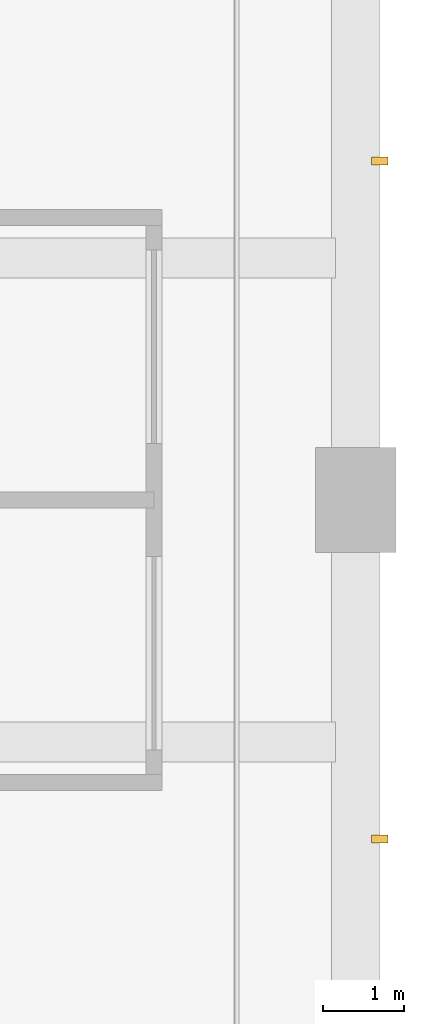
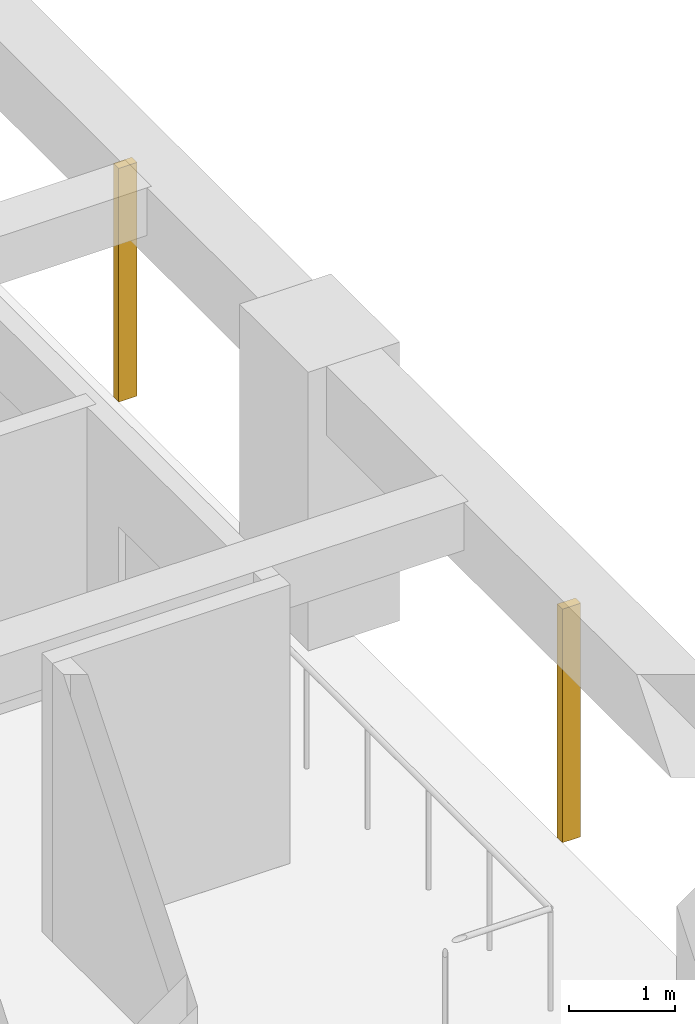
# One storey, part 16 of 17: 2 shading devices.
"""IFC4 building model written with IfcOpenShell, lengths in metres."""

from ifc_helpers import new_model, si_unit, direction, frame, origin, origin_2d, place, context, subcontext, project, spatial, rectangle, extrude, material, material_profile, profile_set, type_object, element, save


model = new_model("IFC4")

# Units and contexts
model_context = context("Model", 3, precision=1e-05, world=origin(), true_north=direction((0.0, 1.0)))
body_context = subcontext(model_context, "Body", "Model", "MODEL_VIEW")
ifc_project = project(units=[si_unit("LENGTHUNIT", "METRE"), si_unit("AREAUNIT", "SQUARE_METRE"), si_unit("VOLUMEUNIT", "CUBIC_METRE"), si_unit("PLANEANGLEUNIT", "RADIAN"), si_unit("MASSUNIT", "GRAM", prefix="KILO")], contexts=[model_context])

# Site, building, storey
site_placement = place(None, origin())
site = spatial("IfcSite", under=ifc_project, at=site_placement, CompositionType="ELEMENT")
building_placement = place(site_placement, origin())
building = spatial("IfcBuilding", under=site, at=building_placement, Name="Vermilion Gate Residences", CompositionType="ELEMENT")
storey_placement = place(building_placement, frame((0.0, 0.0, 91.699951171875)))
storey = spatial("IfcBuildingStorey", under=building, at=storey_placement, Name="L22", CompositionType="ELEMENT", Elevation=91.699951171875)

# Shading devices
ifc_material = material(Name="Extruded terracotta", Category="masonry")
ifc_material_profile = material_profile(ifc_material, rectangle(XDim=0.199951171875, YDim=0.10009765625, at=origin_2d()), Name="BAGUETTE 100 X 200")
ifc_profile_set = profile_set([ifc_material_profile], Name="Extruded terracotta")
shading_device_type = type_object("IfcShadingDeviceType", Name="TERRACOTTA BAGUETTE 100 X 200", PredefinedType="JALOUSIE", material=ifc_profile_set)
for number, where, z_axis, x_axis, name in (
    (1, (67.5, 12.60009765625, -0.280029296875), (0.0, 0.0, 1.0), (-1.0, 0.0, 0.0), "BAGUETTE"),
    (2, (67.5, 21.0, -0.280029296875), (0.0, 0.0, 1.0), (-1.0, 0.0, 0.0), "BAGUETTE"),
):
    element("IfcShadingDevice", number, at=place(storey_placement, frame(where, z_axis=z_axis, x_axis=x_axis)), inside=storey, type_object=shading_device_type, Name=name, PredefinedType="JALOUSIE", context=body_context, shape_type="SweptSolid", body=[
        extrude(rectangle(XDim=0.199951171875, YDim=0.10009765625, at=origin_2d()), origin(), (0.0, 0.0, 1.0), 2.7001953125),
    ])

save(model, "model.ifc")
